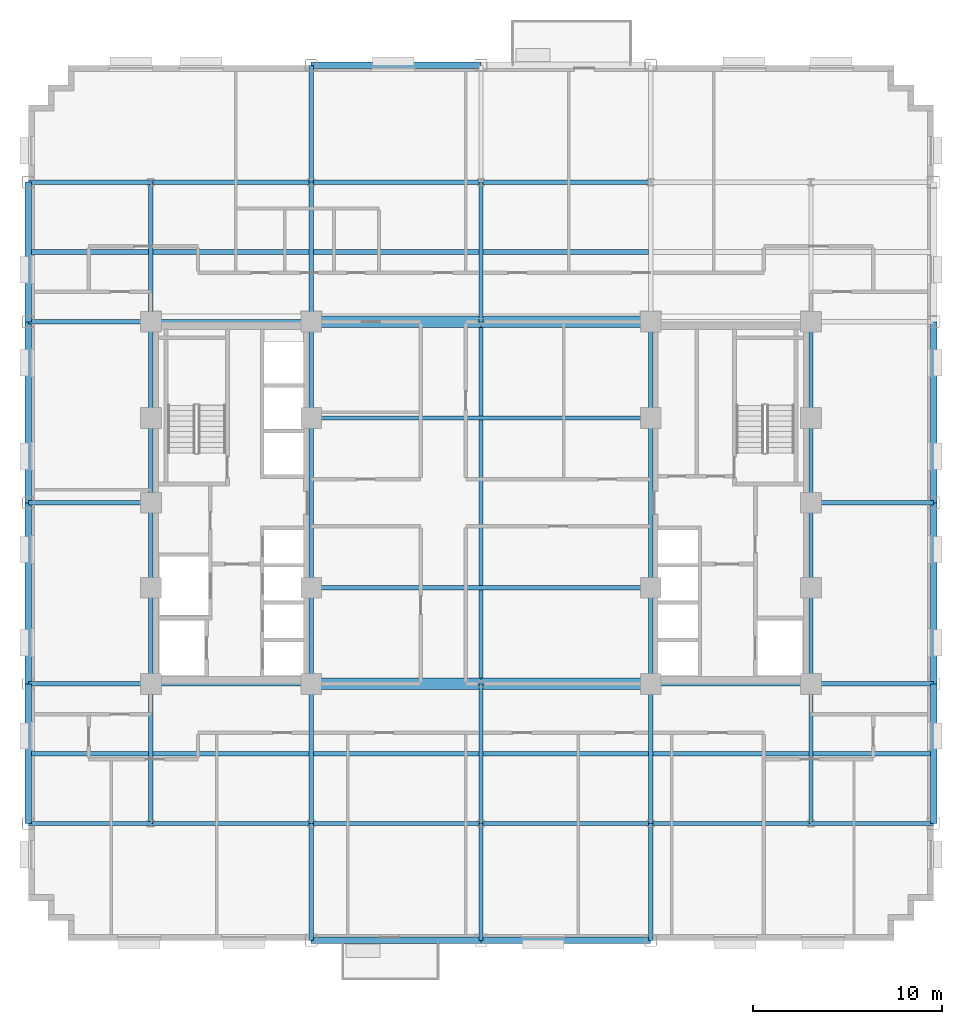
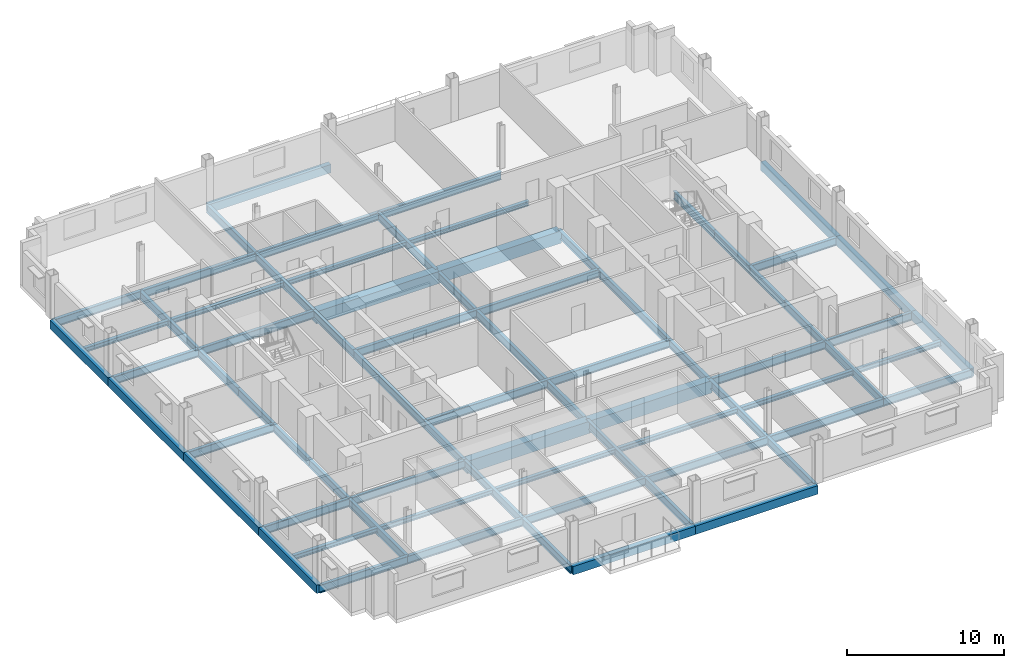
# One storey, part 4 of 14: 71 beams.
"""IFC4 building model written with IfcOpenShell, lengths in metres."""

from ifc_helpers import new_model, si_unit, direction, frame, origin, origin_2d, place, context, subcontext, project, spatial, rectangle, i_section, extrude, material, material_profile, profile_set, type_object, element, save


model = new_model("IFC4")

# Units and contexts
model_context = context("Model", 3, precision=1e-05, world=origin(), true_north=direction((0.0, 1.0)))
body_context = subcontext(model_context, "Body", "Model", "MODEL_VIEW")
ifc_project = project(units=[si_unit("LENGTHUNIT", "METRE"), si_unit("AREAUNIT", "SQUARE_METRE"), si_unit("VOLUMEUNIT", "CUBIC_METRE"), si_unit("PLANEANGLEUNIT", "RADIAN"), si_unit("MASSUNIT", "GRAM", prefix="KILO")], contexts=[model_context])

# Site, building, storey
site_placement = place(None, origin())
site = spatial("IfcSite", under=ifc_project, at=site_placement, CompositionType="ELEMENT")
building_placement = place(site_placement, origin())
building = spatial("IfcBuilding", under=site, at=building_placement, Name="Nuvemarco Arch Tower", CompositionType="ELEMENT")
storey_placement = place(building_placement, frame((0.0, 0.0, 98.300048828125)))
storey = spatial("IfcBuildingStorey", under=building, at=storey_placement, Name="L25", CompositionType="ELEMENT", Elevation=98.300048828125)

# Beams
ifc_material_1 = material(Name="Concrete C60/75", Category="concrete")
ifc_material_profile_1 = material_profile(ifc_material_1, rectangle(XDim=0.60009765625, YDim=0.949951171875, at=origin_2d()), Name="RC-BM-600x950")
ifc_profile_set_1 = profile_set([ifc_material_profile_1], Name="Concrete C60/75")
beam_type_1 = type_object("IfcBeamType", Name="BM-COUP-RC", PredefinedType="LINTEL", material=ifc_profile_set_1)
for number, where, z_axis, x_axis, name in (
    (1, (-9.0, -9.60009765625, -0.755126953125), (1.0, 0.0, 0.0), (0.0, 1.0, 0.0), "L25 structural beam BGEW_L25_0_-9.6_-9.0"),
    (2, (0.0, -9.60009765625, -0.755126953125), (1.0, 0.0, 0.0), (0.0, 1.0, 0.0), "L25 structural beam BGEW_L25_0_-9.6_+0.0"),
    (3, (-9.0, 9.60009765625, -0.755126953125), (1.0, 0.0, 0.0), (0.0, 1.0, 0.0), "L25 structural beam BGEW_L25_0_+9.6_-9.0"),
    (4, (0.0, 9.60009765625, -0.755126953125), (1.0, 0.0, 0.0), (0.0, 1.0, 0.0), "L25 structural beam BGEW_L25_0_+9.6_+0.0"),
):
    element("IfcBeam", number, at=place(storey_placement, frame(where, z_axis=z_axis, x_axis=x_axis)), inside=storey, type_object=beam_type_1, Name=name, PredefinedType="LINTEL", context=body_context, shape_type="SweptSolid", body=[
        extrude(rectangle(XDim=0.60009765625, YDim=0.949951171875, at=origin_2d()), origin(), (0.0, 0.0, 1.0), 9.0),
    ])
ifc_material_2 = material(Name="Steel S355", Category="steel")
ifc_material_profile_2 = material_profile(ifc_material_2, i_section(OverallWidth=0.22998046875, OverallDepth=0.616943359375, WebThickness=0.01318359375, FlangeThickness=0.022216796875, FilletRadius=0.01611328125, at=origin_2d()), Name="W610x140")
ifc_profile_set_2 = profile_set([ifc_material_profile_2], Name="Steel S355")
beam_type_2 = type_object("IfcBeamType", Name="BM-GIRD-610", PredefinedType="BEAM", material=ifc_profile_set_2)
beam_1_placement = place(storey_placement, frame((-17.5, -17.0, -0.588623046875), z_axis=(0.0, 1.0, 0.0), x_axis=(-1.0, 0.0, 0.0)))
element("IfcBeam", 5, at=beam_1_placement, inside=storey, type_object=beam_type_2, Name="L25 structural beam BGNS_L25_0_-17.5_-17.0", PredefinedType="BEAM", context=body_context, shape_type="SweptSolid", body=[
    extrude(i_section(OverallWidth=0.22998046875, OverallDepth=0.616943359375, WebThickness=0.01318359375, FlangeThickness=0.022216796875, FilletRadius=0.01611328125, at=origin_2d()), origin(), (0.0, 0.0, 1.0), 7.39990234375),
])
beam_2_placement = place(storey_placement, frame((-17.5, -9.60009765625, -0.588623046875), z_axis=(0.0, 1.0, 0.0), x_axis=(-1.0, 0.0, 0.0)))
element("IfcBeam", 6, at=beam_2_placement, inside=storey, type_object=beam_type_2, Name="L25 structural beam BGNS_L25_0_-17.5_-9.6", PredefinedType="BEAM", context=body_context, shape_type="SweptSolid", body=[
    extrude(i_section(OverallWidth=0.22998046875, OverallDepth=0.616943359375, WebThickness=0.01318359375, FlangeThickness=0.022216796875, FilletRadius=0.01611328125, at=origin_2d()), origin(), (0.0, 0.0, 1.0), 5.10009765625),
])
for number, where, z_axis, x_axis, name in (
    (7, (-17.5, -4.5, -0.588623046875), (0.0, 1.0, 0.0), (-1.0, 0.0, 0.0), "L25 structural beam BGNS_L25_0_-17.5_-4.5"),
    (8, (-17.5, 0.0, -0.588623046875), (0.0, 1.0, 0.0), (-1.0, 0.0, 0.0), "L25 structural beam BGNS_L25_0_-17.5_+0.0"),
):
    element("IfcBeam", number, at=place(storey_placement, frame(where, z_axis=z_axis, x_axis=x_axis)), inside=storey, type_object=beam_type_2, Name=name, PredefinedType="BEAM", context=body_context, shape_type="SweptSolid", body=[
        extrude(i_section(OverallWidth=0.22998046875, OverallDepth=0.616943359375, WebThickness=0.01318359375, FlangeThickness=0.022216796875, FilletRadius=0.01611328125, at=origin_2d()), origin(), (0.0, 0.0, 1.0), 4.5),
    ])
beam_3_placement = place(storey_placement, frame((-17.5, 4.5, -0.588623046875), z_axis=(0.0, 1.0, 0.0), x_axis=(-1.0, 0.0, 0.0)))
element("IfcBeam", 9, at=beam_3_placement, inside=storey, type_object=beam_type_2, Name="L25 structural beam BGNS_L25_0_-17.5_+4.5", PredefinedType="BEAM", context=body_context, shape_type="SweptSolid", body=[
    extrude(i_section(OverallWidth=0.22998046875, OverallDepth=0.616943359375, WebThickness=0.01318359375, FlangeThickness=0.022216796875, FilletRadius=0.01611328125, at=origin_2d()), origin(), (0.0, 0.0, 1.0), 5.10009765625),
])
beam_4_placement = place(storey_placement, frame((-17.5, 9.60009765625, -0.588623046875), z_axis=(0.0, 1.0, 0.0), x_axis=(-1.0, 0.0, 0.0)))
element("IfcBeam", 10, at=beam_4_placement, inside=storey, type_object=beam_type_2, Name="L25 structural beam BGNS_L25_0_-17.5_+9.6", PredefinedType="BEAM", context=body_context, shape_type="SweptSolid", body=[
    extrude(i_section(OverallWidth=0.22998046875, OverallDepth=0.616943359375, WebThickness=0.01318359375, FlangeThickness=0.022216796875, FilletRadius=0.01611328125, at=origin_2d()), origin(), (0.0, 0.0, 1.0), 7.39990234375),
])
beam_5_placement = place(storey_placement, frame((-9.0, -23.199951171875, -0.588623046875), z_axis=(0.0, 1.0, 0.0), x_axis=(-1.0, 0.0, 0.0)))
element("IfcBeam", 11, at=beam_5_placement, inside=storey, type_object=beam_type_2, Name="L25 structural beam BGNS_L25_0_-9.0_-23.2", PredefinedType="BEAM", context=body_context, shape_type="SweptSolid", body=[
    extrude(i_section(OverallWidth=0.22998046875, OverallDepth=0.616943359375, WebThickness=0.01318359375, FlangeThickness=0.022216796875, FilletRadius=0.01611328125, at=origin_2d()), origin(), (0.0, 0.0, 1.0), 6.199951171875),
])
beam_6_placement = place(storey_placement, frame((-9.0, -17.0, -0.588623046875), z_axis=(0.0, 1.0, 0.0), x_axis=(-1.0, 0.0, 0.0)))
element("IfcBeam", 12, at=beam_6_placement, inside=storey, type_object=beam_type_2, Name="L25 structural beam BGNS_L25_0_-9.0_-17.0", PredefinedType="BEAM", context=body_context, shape_type="SweptSolid", body=[
    extrude(i_section(OverallWidth=0.22998046875, OverallDepth=0.616943359375, WebThickness=0.01318359375, FlangeThickness=0.022216796875, FilletRadius=0.01611328125, at=origin_2d()), origin(), (0.0, 0.0, 1.0), 7.39990234375),
])
beam_7_placement = place(storey_placement, frame((-9.0, -9.60009765625, -0.588623046875), z_axis=(0.0, 1.0, 0.0), x_axis=(-1.0, 0.0, 0.0)))
element("IfcBeam", 13, at=beam_7_placement, inside=storey, type_object=beam_type_2, Name="L25 structural beam BGNS_L25_0_-9.0_-9.6", PredefinedType="BEAM", context=body_context, shape_type="SweptSolid", body=[
    extrude(i_section(OverallWidth=0.22998046875, OverallDepth=0.616943359375, WebThickness=0.01318359375, FlangeThickness=0.022216796875, FilletRadius=0.01611328125, at=origin_2d()), origin(), (0.0, 0.0, 1.0), 5.10009765625),
])
beam_8_placement = place(storey_placement, frame((-9.0, -4.5, -0.588623046875), z_axis=(0.0, 1.0, 0.0), x_axis=(-1.0, 0.0, 0.0)))
element("IfcBeam", 14, at=beam_8_placement, inside=storey, type_object=beam_type_2, Name="L25 structural beam BGNS_L25_0_-9.0_-4.5", PredefinedType="BEAM", context=body_context, shape_type="SweptSolid", body=[
    extrude(i_section(OverallWidth=0.22998046875, OverallDepth=0.616943359375, WebThickness=0.01318359375, FlangeThickness=0.022216796875, FilletRadius=0.01611328125, at=origin_2d()), origin(), (0.0, 0.0, 1.0), 9.0),
])
beam_9_placement = place(storey_placement, frame((-9.0, 4.5, -0.588623046875), z_axis=(0.0, 1.0, 0.0), x_axis=(-1.0, 0.0, 0.0)))
element("IfcBeam", 15, at=beam_9_placement, inside=storey, type_object=beam_type_2, Name="L25 structural beam BGNS_L25_0_-9.0_+4.5", PredefinedType="BEAM", context=body_context, shape_type="SweptSolid", body=[
    extrude(i_section(OverallWidth=0.22998046875, OverallDepth=0.616943359375, WebThickness=0.01318359375, FlangeThickness=0.022216796875, FilletRadius=0.01611328125, at=origin_2d()), origin(), (0.0, 0.0, 1.0), 5.10009765625),
])
beam_10_placement = place(storey_placement, frame((-9.0, 9.60009765625, -0.588623046875), z_axis=(0.0, 1.0, 0.0), x_axis=(-1.0, 0.0, 0.0)))
element("IfcBeam", 16, at=beam_10_placement, inside=storey, type_object=beam_type_2, Name="L25 structural beam BGNS_L25_0_-9.0_+9.6", PredefinedType="BEAM", context=body_context, shape_type="SweptSolid", body=[
    extrude(i_section(OverallWidth=0.22998046875, OverallDepth=0.616943359375, WebThickness=0.01318359375, FlangeThickness=0.022216796875, FilletRadius=0.01611328125, at=origin_2d()), origin(), (0.0, 0.0, 1.0), 7.39990234375),
])
for number, where, z_axis, x_axis, name in (
    (17, (-9.0, 17.0, -0.588623046875), (0.0, 1.0, 0.0), (-1.0, 0.0, 0.0), "L25 structural beam BGNS_L25_0_-9.0_+17.0"),
    (18, (0.0, -23.199951171875, -0.588623046875), (0.0, 1.0, 0.0), (-1.0, 0.0, 0.0), "L25 structural beam BGNS_L25_0_+0.0_-23.2"),
):
    element("IfcBeam", number, at=place(storey_placement, frame(where, z_axis=z_axis, x_axis=x_axis)), inside=storey, type_object=beam_type_2, Name=name, PredefinedType="BEAM", context=body_context, shape_type="SweptSolid", body=[
        extrude(i_section(OverallWidth=0.22998046875, OverallDepth=0.616943359375, WebThickness=0.01318359375, FlangeThickness=0.022216796875, FilletRadius=0.01611328125, at=origin_2d()), origin(), (0.0, 0.0, 1.0), 6.199951171875),
    ])
beam_11_placement = place(storey_placement, frame((0.0, -17.0, -0.588623046875), z_axis=(0.0, 1.0, 0.0), x_axis=(-1.0, 0.0, 0.0)))
element("IfcBeam", 19, at=beam_11_placement, inside=storey, type_object=beam_type_2, Name="L25 structural beam BGNS_L25_0_+0.0_-17.0", PredefinedType="BEAM", context=body_context, shape_type="SweptSolid", body=[
    extrude(i_section(OverallWidth=0.22998046875, OverallDepth=0.616943359375, WebThickness=0.01318359375, FlangeThickness=0.022216796875, FilletRadius=0.01611328125, at=origin_2d()), origin(), (0.0, 0.0, 1.0), 7.39990234375),
])
beam_12_placement = place(storey_placement, frame((0.0, -9.60009765625, -0.588623046875), z_axis=(0.0, 1.0, 0.0), x_axis=(-1.0, 0.0, 0.0)))
element("IfcBeam", 20, at=beam_12_placement, inside=storey, type_object=beam_type_2, Name="L25 structural beam BGNS_L25_0_+0.0_-9.6", PredefinedType="BEAM", context=body_context, shape_type="SweptSolid", body=[
    extrude(i_section(OverallWidth=0.22998046875, OverallDepth=0.616943359375, WebThickness=0.01318359375, FlangeThickness=0.022216796875, FilletRadius=0.01611328125, at=origin_2d()), origin(), (0.0, 0.0, 1.0), 19.2001953125),
])
beam_13_placement = place(storey_placement, frame((0.0, 9.60009765625, -0.588623046875), z_axis=(0.0, 1.0, 0.0), x_axis=(-1.0, 0.0, 0.0)))
element("IfcBeam", 21, at=beam_13_placement, inside=storey, type_object=beam_type_2, Name="L25 structural beam BGNS_L25_0_+0.0_+9.6", PredefinedType="BEAM", context=body_context, shape_type="SweptSolid", body=[
    extrude(i_section(OverallWidth=0.22998046875, OverallDepth=0.616943359375, WebThickness=0.01318359375, FlangeThickness=0.022216796875, FilletRadius=0.01611328125, at=origin_2d()), origin(), (0.0, 0.0, 1.0), 7.39990234375),
])
beam_14_placement = place(storey_placement, frame((9.0, -23.199951171875, -0.588623046875), z_axis=(0.0, 1.0, 0.0), x_axis=(-1.0, 0.0, 0.0)))
element("IfcBeam", 22, at=beam_14_placement, inside=storey, type_object=beam_type_2, Name="L25 structural beam BGNS_L25_0_+9.0_-23.2", PredefinedType="BEAM", context=body_context, shape_type="SweptSolid", body=[
    extrude(i_section(OverallWidth=0.22998046875, OverallDepth=0.616943359375, WebThickness=0.01318359375, FlangeThickness=0.022216796875, FilletRadius=0.01611328125, at=origin_2d()), origin(), (0.0, 0.0, 1.0), 6.199951171875),
])
beam_15_placement = place(storey_placement, frame((9.0, -17.0, -0.588623046875), z_axis=(0.0, 1.0, 0.0), x_axis=(-1.0, 0.0, 0.0)))
element("IfcBeam", 23, at=beam_15_placement, inside=storey, type_object=beam_type_2, Name="L25 structural beam BGNS_L25_0_+9.0_-17.0", PredefinedType="BEAM", context=body_context, shape_type="SweptSolid", body=[
    extrude(i_section(OverallWidth=0.22998046875, OverallDepth=0.616943359375, WebThickness=0.01318359375, FlangeThickness=0.022216796875, FilletRadius=0.01611328125, at=origin_2d()), origin(), (0.0, 0.0, 1.0), 7.39990234375),
])
beam_16_placement = place(storey_placement, frame((9.0, -9.60009765625, -0.588623046875), z_axis=(0.0, 1.0, 0.0), x_axis=(-1.0, 0.0, 0.0)))
element("IfcBeam", 24, at=beam_16_placement, inside=storey, type_object=beam_type_2, Name="L25 structural beam BGNS_L25_0_+9.0_-9.6", PredefinedType="BEAM", context=body_context, shape_type="SweptSolid", body=[
    extrude(i_section(OverallWidth=0.22998046875, OverallDepth=0.616943359375, WebThickness=0.01318359375, FlangeThickness=0.022216796875, FilletRadius=0.01611328125, at=origin_2d()), origin(), (0.0, 0.0, 1.0), 5.10009765625),
])
beam_17_placement = place(storey_placement, frame((9.0, -4.5, -0.588623046875), z_axis=(0.0, 1.0, 0.0), x_axis=(-1.0, 0.0, 0.0)))
element("IfcBeam", 25, at=beam_17_placement, inside=storey, type_object=beam_type_2, Name="L25 structural beam BGNS_L25_0_+9.0_-4.5", PredefinedType="BEAM", context=body_context, shape_type="SweptSolid", body=[
    extrude(i_section(OverallWidth=0.22998046875, OverallDepth=0.616943359375, WebThickness=0.01318359375, FlangeThickness=0.022216796875, FilletRadius=0.01611328125, at=origin_2d()), origin(), (0.0, 0.0, 1.0), 9.0),
])
beam_18_placement = place(storey_placement, frame((9.0, 4.5, -0.588623046875), z_axis=(0.0, 1.0, 0.0), x_axis=(-1.0, 0.0, 0.0)))
element("IfcBeam", 26, at=beam_18_placement, inside=storey, type_object=beam_type_2, Name="L25 structural beam BGNS_L25_0_+9.0_+4.5", PredefinedType="BEAM", context=body_context, shape_type="SweptSolid", body=[
    extrude(i_section(OverallWidth=0.22998046875, OverallDepth=0.616943359375, WebThickness=0.01318359375, FlangeThickness=0.022216796875, FilletRadius=0.01611328125, at=origin_2d()), origin(), (0.0, 0.0, 1.0), 5.10009765625),
])
beam_19_placement = place(storey_placement, frame((17.5, -17.0, -0.588623046875), z_axis=(0.0, 1.0, 0.0), x_axis=(-1.0, 0.0, 0.0)))
element("IfcBeam", 27, at=beam_19_placement, inside=storey, type_object=beam_type_2, Name="L25 structural beam BGNS_L25_0_+17.5_-17.0", PredefinedType="BEAM", context=body_context, shape_type="SweptSolid", body=[
    extrude(i_section(OverallWidth=0.22998046875, OverallDepth=0.616943359375, WebThickness=0.01318359375, FlangeThickness=0.022216796875, FilletRadius=0.01611328125, at=origin_2d()), origin(), (0.0, 0.0, 1.0), 7.39990234375),
])
beam_20_placement = place(storey_placement, frame((17.5, -9.60009765625, -0.588623046875), z_axis=(0.0, 1.0, 0.0), x_axis=(-1.0, 0.0, 0.0)))
element("IfcBeam", 28, at=beam_20_placement, inside=storey, type_object=beam_type_2, Name="L25 structural beam BGNS_L25_0_+17.5_-9.6", PredefinedType="BEAM", context=body_context, shape_type="SweptSolid", body=[
    extrude(i_section(OverallWidth=0.22998046875, OverallDepth=0.616943359375, WebThickness=0.01318359375, FlangeThickness=0.022216796875, FilletRadius=0.01611328125, at=origin_2d()), origin(), (0.0, 0.0, 1.0), 5.10009765625),
])
for number, where, z_axis, x_axis, name in (
    (29, (17.5, -4.5, -0.588623046875), (0.0, 1.0, 0.0), (-1.0, 0.0, 0.0), "L25 structural beam BGNS_L25_0_+17.5_-4.5"),
    (30, (17.5, 0.0, -0.588623046875), (0.0, 1.0, 0.0), (-1.0, 0.0, 0.0), "L25 structural beam BGNS_L25_0_+17.5_+0.0"),
):
    element("IfcBeam", number, at=place(storey_placement, frame(where, z_axis=z_axis, x_axis=x_axis)), inside=storey, type_object=beam_type_2, Name=name, PredefinedType="BEAM", context=body_context, shape_type="SweptSolid", body=[
        extrude(i_section(OverallWidth=0.22998046875, OverallDepth=0.616943359375, WebThickness=0.01318359375, FlangeThickness=0.022216796875, FilletRadius=0.01611328125, at=origin_2d()), origin(), (0.0, 0.0, 1.0), 4.5),
    ])
beam_21_placement = place(storey_placement, frame((17.5, 4.5, -0.588623046875), z_axis=(0.0, 1.0, 0.0), x_axis=(-1.0, 0.0, 0.0)))
element("IfcBeam", 31, at=beam_21_placement, inside=storey, type_object=beam_type_2, Name="L25 structural beam BGNS_L25_0_+17.5_+4.5", PredefinedType="BEAM", context=body_context, shape_type="SweptSolid", body=[
    extrude(i_section(OverallWidth=0.22998046875, OverallDepth=0.616943359375, WebThickness=0.01318359375, FlangeThickness=0.022216796875, FilletRadius=0.01611328125, at=origin_2d()), origin(), (0.0, 0.0, 1.0), 5.10009765625),
])
beam_22_placement = place(storey_placement, frame((-24.0, -17.0, -0.588623046875), z_axis=(1.0, 0.0, 0.0), x_axis=(0.0, 1.0, 0.0)))
element("IfcBeam", 32, at=beam_22_placement, inside=storey, type_object=beam_type_2, Name="L25 structural beam BGEW_L25_0_-17.0_-24.0", PredefinedType="BEAM", context=body_context, shape_type="SweptSolid", body=[
    extrude(i_section(OverallWidth=0.22998046875, OverallDepth=0.616943359375, WebThickness=0.01318359375, FlangeThickness=0.022216796875, FilletRadius=0.01611328125, at=origin_2d()), origin(), (0.0, 0.0, 1.0), 6.5),
])
beam_23_placement = place(storey_placement, frame((-17.5, -17.0, -0.588623046875), z_axis=(1.0, 0.0, 0.0), x_axis=(0.0, 1.0, 0.0)))
element("IfcBeam", 33, at=beam_23_placement, inside=storey, type_object=beam_type_2, Name="L25 structural beam BGEW_L25_0_-17.0_-17.5", PredefinedType="BEAM", context=body_context, shape_type="SweptSolid", body=[
    extrude(i_section(OverallWidth=0.22998046875, OverallDepth=0.616943359375, WebThickness=0.01318359375, FlangeThickness=0.022216796875, FilletRadius=0.01611328125, at=origin_2d()), origin(), (0.0, 0.0, 1.0), 8.5),
])
for number, where, z_axis, x_axis, name in (
    (34, (-9.0, -17.0, -0.588623046875), (1.0, 0.0, 0.0), (0.0, 1.0, 0.0), "L25 structural beam BGEW_L25_0_-17.0_-9.0"),
    (35, (0.0, -17.0, -0.588623046875), (1.0, 0.0, 0.0), (0.0, 1.0, 0.0), "L25 structural beam BGEW_L25_0_-17.0_+0.0"),
):
    element("IfcBeam", number, at=place(storey_placement, frame(where, z_axis=z_axis, x_axis=x_axis)), inside=storey, type_object=beam_type_2, Name=name, PredefinedType="BEAM", context=body_context, shape_type="SweptSolid", body=[
        extrude(i_section(OverallWidth=0.22998046875, OverallDepth=0.616943359375, WebThickness=0.01318359375, FlangeThickness=0.022216796875, FilletRadius=0.01611328125, at=origin_2d()), origin(), (0.0, 0.0, 1.0), 9.0),
    ])
beam_24_placement = place(storey_placement, frame((9.0, -17.0, -0.588623046875), z_axis=(1.0, 0.0, 0.0), x_axis=(0.0, 1.0, 0.0)))
element("IfcBeam", 36, at=beam_24_placement, inside=storey, type_object=beam_type_2, Name="L25 structural beam BGEW_L25_0_-17.0_+9.0", PredefinedType="BEAM", context=body_context, shape_type="SweptSolid", body=[
    extrude(i_section(OverallWidth=0.22998046875, OverallDepth=0.616943359375, WebThickness=0.01318359375, FlangeThickness=0.022216796875, FilletRadius=0.01611328125, at=origin_2d()), origin(), (0.0, 0.0, 1.0), 8.5),
])
for number, where, z_axis, x_axis, name in (
    (37, (17.5, -17.0, -0.588623046875), (1.0, 0.0, 0.0), (0.0, 1.0, 0.0), "L25 structural beam BGEW_L25_0_-17.0_+17.5"),
    (38, (-24.0, -9.60009765625, -0.588623046875), (1.0, 0.0, 0.0), (0.0, 1.0, 0.0), "L25 structural beam BGEW_L25_0_-9.6_-24.0"),
):
    element("IfcBeam", number, at=place(storey_placement, frame(where, z_axis=z_axis, x_axis=x_axis)), inside=storey, type_object=beam_type_2, Name=name, PredefinedType="BEAM", context=body_context, shape_type="SweptSolid", body=[
        extrude(i_section(OverallWidth=0.22998046875, OverallDepth=0.616943359375, WebThickness=0.01318359375, FlangeThickness=0.022216796875, FilletRadius=0.01611328125, at=origin_2d()), origin(), (0.0, 0.0, 1.0), 6.5),
    ])
for number, where, z_axis, x_axis, name in (
    (39, (-17.5, -9.60009765625, -0.588623046875), (1.0, 0.0, 0.0), (0.0, 1.0, 0.0), "L25 structural beam BGEW_L25_0_-9.6_-17.5"),
    (40, (9.0, -9.60009765625, -0.588623046875), (1.0, 0.0, 0.0), (0.0, 1.0, 0.0), "L25 structural beam BGEW_L25_0_-9.6_+9.0"),
):
    element("IfcBeam", number, at=place(storey_placement, frame(where, z_axis=z_axis, x_axis=x_axis)), inside=storey, type_object=beam_type_2, Name=name, PredefinedType="BEAM", context=body_context, shape_type="SweptSolid", body=[
        extrude(i_section(OverallWidth=0.22998046875, OverallDepth=0.616943359375, WebThickness=0.01318359375, FlangeThickness=0.022216796875, FilletRadius=0.01611328125, at=origin_2d()), origin(), (0.0, 0.0, 1.0), 8.5),
    ])
beam_25_placement = place(storey_placement, frame((17.5, -9.60009765625, -0.588623046875), z_axis=(1.0, 0.0, 0.0), x_axis=(0.0, 1.0, 0.0)))
element("IfcBeam", 41, at=beam_25_placement, inside=storey, type_object=beam_type_2, Name="L25 structural beam BGEW_L25_0_-9.6_+17.5", PredefinedType="BEAM", context=body_context, shape_type="SweptSolid", body=[
    extrude(i_section(OverallWidth=0.22998046875, OverallDepth=0.616943359375, WebThickness=0.01318359375, FlangeThickness=0.022216796875, FilletRadius=0.01611328125, at=origin_2d()), origin(), (0.0, 0.0, 1.0), 6.5),
])
beam_26_placement = place(storey_placement, frame((-9.0, -4.5, -0.588623046875), z_axis=(1.0, 0.0, 0.0), x_axis=(0.0, 1.0, 0.0)))
element("IfcBeam", 42, at=beam_26_placement, inside=storey, type_object=beam_type_2, Name="L25 structural beam BGEW_L25_0_-4.5_-9.0", PredefinedType="BEAM", context=body_context, shape_type="SweptSolid", body=[
    extrude(i_section(OverallWidth=0.22998046875, OverallDepth=0.616943359375, WebThickness=0.01318359375, FlangeThickness=0.022216796875, FilletRadius=0.01611328125, at=origin_2d()), origin(), (0.0, 0.0, 1.0), 18.0),
])
for number, where, z_axis, x_axis, name in (
    (43, (-24.0, 0.0, -0.588623046875), (1.0, 0.0, 0.0), (0.0, 1.0, 0.0), "L25 structural beam BGEW_L25_0_+0.0_-24.0"),
    (44, (17.5, 0.0, -0.588623046875), (1.0, 0.0, 0.0), (0.0, 1.0, 0.0), "L25 structural beam BGEW_L25_0_+0.0_+17.5"),
):
    element("IfcBeam", number, at=place(storey_placement, frame(where, z_axis=z_axis, x_axis=x_axis)), inside=storey, type_object=beam_type_2, Name=name, PredefinedType="BEAM", context=body_context, shape_type="SweptSolid", body=[
        extrude(i_section(OverallWidth=0.22998046875, OverallDepth=0.616943359375, WebThickness=0.01318359375, FlangeThickness=0.022216796875, FilletRadius=0.01611328125, at=origin_2d()), origin(), (0.0, 0.0, 1.0), 6.5),
    ])
beam_27_placement = place(storey_placement, frame((-9.0, 4.5, -0.588623046875), z_axis=(1.0, 0.0, 0.0), x_axis=(0.0, 1.0, 0.0)))
element("IfcBeam", 45, at=beam_27_placement, inside=storey, type_object=beam_type_2, Name="L25 structural beam BGEW_L25_0_+4.5_-9.0", PredefinedType="BEAM", context=body_context, shape_type="SweptSolid", body=[
    extrude(i_section(OverallWidth=0.22998046875, OverallDepth=0.616943359375, WebThickness=0.01318359375, FlangeThickness=0.022216796875, FilletRadius=0.01611328125, at=origin_2d()), origin(), (0.0, 0.0, 1.0), 18.0),
])
beam_28_placement = place(storey_placement, frame((-24.0, 9.60009765625, -0.588623046875), z_axis=(1.0, 0.0, 0.0), x_axis=(0.0, 1.0, 0.0)))
element("IfcBeam", 46, at=beam_28_placement, inside=storey, type_object=beam_type_2, Name="L25 structural beam BGEW_L25_0_+9.6_-24.0", PredefinedType="BEAM", context=body_context, shape_type="SweptSolid", body=[
    extrude(i_section(OverallWidth=0.22998046875, OverallDepth=0.616943359375, WebThickness=0.01318359375, FlangeThickness=0.022216796875, FilletRadius=0.01611328125, at=origin_2d()), origin(), (0.0, 0.0, 1.0), 6.5),
])
beam_29_placement = place(storey_placement, frame((-17.5, 9.60009765625, -0.588623046875), z_axis=(1.0, 0.0, 0.0), x_axis=(0.0, 1.0, 0.0)))
element("IfcBeam", 47, at=beam_29_placement, inside=storey, type_object=beam_type_2, Name="L25 structural beam BGEW_L25_0_+9.6_-17.5", PredefinedType="BEAM", context=body_context, shape_type="SweptSolid", body=[
    extrude(i_section(OverallWidth=0.22998046875, OverallDepth=0.616943359375, WebThickness=0.01318359375, FlangeThickness=0.022216796875, FilletRadius=0.01611328125, at=origin_2d()), origin(), (0.0, 0.0, 1.0), 8.5),
])
beam_30_placement = place(storey_placement, frame((-24.0, 17.0, -0.588623046875), z_axis=(1.0, 0.0, 0.0), x_axis=(0.0, 1.0, 0.0)))
element("IfcBeam", 48, at=beam_30_placement, inside=storey, type_object=beam_type_2, Name="L25 structural beam BGEW_L25_0_+17.0_-24.0", PredefinedType="BEAM", context=body_context, shape_type="SweptSolid", body=[
    extrude(i_section(OverallWidth=0.22998046875, OverallDepth=0.616943359375, WebThickness=0.01318359375, FlangeThickness=0.022216796875, FilletRadius=0.01611328125, at=origin_2d()), origin(), (0.0, 0.0, 1.0), 6.5),
])
beam_31_placement = place(storey_placement, frame((-17.5, 17.0, -0.588623046875), z_axis=(1.0, 0.0, 0.0), x_axis=(0.0, 1.0, 0.0)))
element("IfcBeam", 49, at=beam_31_placement, inside=storey, type_object=beam_type_2, Name="L25 structural beam BGEW_L25_0_+17.0_-17.5", PredefinedType="BEAM", context=body_context, shape_type="SweptSolid", body=[
    extrude(i_section(OverallWidth=0.22998046875, OverallDepth=0.616943359375, WebThickness=0.01318359375, FlangeThickness=0.022216796875, FilletRadius=0.01611328125, at=origin_2d()), origin(), (0.0, 0.0, 1.0), 8.5),
])
for number, where, z_axis, x_axis, name in (
    (50, (-9.0, 17.0, -0.588623046875), (1.0, 0.0, 0.0), (0.0, 1.0, 0.0), "L25 structural beam BGEW_L25_0_+17.0_-9.0"),
    (51, (0.0, 17.0, -0.588623046875), (1.0, 0.0, 0.0), (0.0, 1.0, 0.0), "L25 structural beam BGEW_L25_0_+17.0_+0.0"),
):
    element("IfcBeam", number, at=place(storey_placement, frame(where, z_axis=z_axis, x_axis=x_axis)), inside=storey, type_object=beam_type_2, Name=name, PredefinedType="BEAM", context=body_context, shape_type="SweptSolid", body=[
        extrude(i_section(OverallWidth=0.22998046875, OverallDepth=0.616943359375, WebThickness=0.01318359375, FlangeThickness=0.022216796875, FilletRadius=0.01611328125, at=origin_2d()), origin(), (0.0, 0.0, 1.0), 9.0),
    ])
ifc_material_profile_3 = material_profile(ifc_material_2, i_section(OverallWidth=0.2548828125, OverallDepth=0.35693359375, WebThickness=0.010498046875, FlangeThickness=0.018310546875, FilletRadius=0.014892578125, at=origin_2d()), Name="W360x101")
ifc_profile_set_3 = profile_set([ifc_material_profile_3], Name="Steel S355")
beam_type_3 = type_object("IfcBeamType", Name="BM-JOIST-360H", PredefinedType="JOIST", material=ifc_profile_set_3)
beam_32_placement = place(storey_placement, frame((-23.824951171875, -13.300048828125, -0.45849609375), z_axis=(1.0, 0.0, 0.0), x_axis=(0.0, 1.0, 0.0)))
element("IfcBeam", 52, at=beam_32_placement, inside=storey, type_object=beam_type_3, Name="L25 structural beam BJ_L25_0_-13.3_-24.0", PredefinedType="JOIST", context=body_context, shape_type="SweptSolid", body=[
    extrude(i_section(OverallWidth=0.2548828125, OverallDepth=0.35693359375, WebThickness=0.010498046875, FlangeThickness=0.018310546875, FilletRadius=0.014892578125, at=origin_2d()), origin(), (0.0, 0.0, 1.0), 6.2099609375),
])
beam_33_placement = place(storey_placement, frame((-17.385009765625, -13.300048828125, -0.45849609375), z_axis=(1.0, 0.0, 0.0), x_axis=(0.0, 1.0, 0.0)))
element("IfcBeam", 53, at=beam_33_placement, inside=storey, type_object=beam_type_3, Name="L25 structural beam BJ_L25_0_-13.3_-17.5", PredefinedType="JOIST", context=body_context, shape_type="SweptSolid", body=[
    extrude(i_section(OverallWidth=0.2548828125, OverallDepth=0.35693359375, WebThickness=0.010498046875, FlangeThickness=0.018310546875, FilletRadius=0.014892578125, at=origin_2d()), origin(), (0.0, 0.0, 1.0), 8.27001953125),
])
for number, where, z_axis, x_axis, name in (
    (54, (-8.885009765625, -13.300048828125, -0.45849609375), (1.0, 0.0, 0.0), (0.0, 1.0, 0.0), "L25 structural beam BJ_L25_0_-13.3_-9.0"),
    (55, (0.114990234375, -13.300048828125, -0.45849609375), (1.0, 0.0, 0.0), (0.0, 1.0, 0.0), "L25 structural beam BJ_L25_0_-13.3_+0.0"),
):
    element("IfcBeam", number, at=place(storey_placement, frame(where, z_axis=z_axis, x_axis=x_axis)), inside=storey, type_object=beam_type_3, Name=name, PredefinedType="JOIST", context=body_context, shape_type="SweptSolid", body=[
        extrude(i_section(OverallWidth=0.2548828125, OverallDepth=0.35693359375, WebThickness=0.010498046875, FlangeThickness=0.018310546875, FilletRadius=0.014892578125, at=origin_2d()), origin(), (0.0, 0.0, 1.0), 8.77001953125),
    ])
beam_34_placement = place(storey_placement, frame((9.114990234375, -13.300048828125, -0.45849609375), z_axis=(1.0, 0.0, 0.0), x_axis=(0.0, 1.0, 0.0)))
element("IfcBeam", 56, at=beam_34_placement, inside=storey, type_object=beam_type_3, Name="L25 structural beam BJ_L25_0_-13.3_+9.0", PredefinedType="JOIST", context=body_context, shape_type="SweptSolid", body=[
    extrude(i_section(OverallWidth=0.2548828125, OverallDepth=0.35693359375, WebThickness=0.010498046875, FlangeThickness=0.018310546875, FilletRadius=0.014892578125, at=origin_2d()), origin(), (0.0, 0.0, 1.0), 8.27001953125),
])
for number, where, z_axis, x_axis, name in (
    (57, (17.614990234375, -13.300048828125, -0.45849609375), (1.0, 0.0, 0.0), (0.0, 1.0, 0.0), "L25 structural beam BJ_L25_0_-13.3_+17.5"),
    (58, (-23.824951171875, 13.300048828125, -0.45849609375), (1.0, 0.0, 0.0), (0.0, 1.0, 0.0), "L25 structural beam BJ_L25_0_+13.3_-24.0"),
):
    element("IfcBeam", number, at=place(storey_placement, frame(where, z_axis=z_axis, x_axis=x_axis)), inside=storey, type_object=beam_type_3, Name=name, PredefinedType="JOIST", context=body_context, shape_type="SweptSolid", body=[
        extrude(i_section(OverallWidth=0.2548828125, OverallDepth=0.35693359375, WebThickness=0.010498046875, FlangeThickness=0.018310546875, FilletRadius=0.014892578125, at=origin_2d()), origin(), (0.0, 0.0, 1.0), 6.2099609375),
    ])
beam_35_placement = place(storey_placement, frame((-17.385009765625, 13.300048828125, -0.45849609375), z_axis=(1.0, 0.0, 0.0), x_axis=(0.0, 1.0, 0.0)))
element("IfcBeam", 59, at=beam_35_placement, inside=storey, type_object=beam_type_3, Name="L25 structural beam BJ_L25_0_+13.3_-17.5", PredefinedType="JOIST", context=body_context, shape_type="SweptSolid", body=[
    extrude(i_section(OverallWidth=0.2548828125, OverallDepth=0.35693359375, WebThickness=0.010498046875, FlangeThickness=0.018310546875, FilletRadius=0.014892578125, at=origin_2d()), origin(), (0.0, 0.0, 1.0), 8.27001953125),
])
for number, where, z_axis, x_axis, name in (
    (60, (-8.885009765625, 13.300048828125, -0.45849609375), (1.0, 0.0, 0.0), (0.0, 1.0, 0.0), "L25 structural beam BJ_L25_0_+13.3_-9.0"),
    (61, (0.114990234375, 13.300048828125, -0.45849609375), (1.0, 0.0, 0.0), (0.0, 1.0, 0.0), "L25 structural beam BJ_L25_0_+13.3_+0.0"),
):
    element("IfcBeam", number, at=place(storey_placement, frame(where, z_axis=z_axis, x_axis=x_axis)), inside=storey, type_object=beam_type_3, Name=name, PredefinedType="JOIST", context=body_context, shape_type="SweptSolid", body=[
        extrude(i_section(OverallWidth=0.2548828125, OverallDepth=0.35693359375, WebThickness=0.010498046875, FlangeThickness=0.018310546875, FilletRadius=0.014892578125, at=origin_2d()), origin(), (0.0, 0.0, 1.0), 8.77001953125),
    ])
ifc_material_3 = material(Name="Precast concrete C45/55", Category="concrete")
ifc_material_profile_4 = material_profile(ifc_material_3, rectangle(XDim=0.35009765625, YDim=0.64990234375, at=origin_2d()), Name="PC-SP-350x650")
ifc_profile_set_4 = profile_set([ifc_material_profile_4], Name="Precast concrete C45/55")
beam_type_4 = type_object("IfcBeamType", Name="BM-SPAN-RC", PredefinedType="SPANDREL", material=ifc_profile_set_4)
beam_36_placement = place(storey_placement, frame((-24.0, -17.0, -0.60498046875), z_axis=(0.0, 1.0, 0.0), x_axis=(-1.0, 0.0, 0.0)))
element("IfcBeam", 62, at=beam_36_placement, inside=storey, type_object=beam_type_4, Name="L25 structural beam BGNS_L25_0_-24.0_-17.0", PredefinedType="SPANDREL", context=body_context, shape_type="SweptSolid", body=[
    extrude(rectangle(XDim=0.35009765625, YDim=0.64990234375, at=origin_2d()), origin(), (0.0, 0.0, 1.0), 7.39990234375),
])
for number, where, z_axis, x_axis, name in (
    (63, (-24.0, -9.60009765625, -0.60498046875), (0.0, 1.0, 0.0), (-1.0, 0.0, 0.0), "L25 structural beam BGNS_L25_0_-24.0_-9.6"),
    (64, (-24.0, 0.0, -0.60498046875), (0.0, 1.0, 0.0), (-1.0, 0.0, 0.0), "L25 structural beam BGNS_L25_0_-24.0_+0.0"),
):
    element("IfcBeam", number, at=place(storey_placement, frame(where, z_axis=z_axis, x_axis=x_axis)), inside=storey, type_object=beam_type_4, Name=name, PredefinedType="SPANDREL", context=body_context, shape_type="SweptSolid", body=[
        extrude(rectangle(XDim=0.35009765625, YDim=0.64990234375, at=origin_2d()), origin(), (0.0, 0.0, 1.0), 9.60009765625),
    ])
for number, where, z_axis, x_axis, name in (
    (65, (-24.0, 9.60009765625, -0.60498046875), (0.0, 1.0, 0.0), (-1.0, 0.0, 0.0), "L25 structural beam BGNS_L25_0_-24.0_+9.6"),
    (66, (24.0, -17.0, -0.60498046875), (0.0, 1.0, 0.0), (-1.0, 0.0, 0.0), "L25 structural beam BGNS_L25_0_+24.0_-17.0"),
):
    element("IfcBeam", number, at=place(storey_placement, frame(where, z_axis=z_axis, x_axis=x_axis)), inside=storey, type_object=beam_type_4, Name=name, PredefinedType="SPANDREL", context=body_context, shape_type="SweptSolid", body=[
        extrude(rectangle(XDim=0.35009765625, YDim=0.64990234375, at=origin_2d()), origin(), (0.0, 0.0, 1.0), 7.39990234375),
    ])
for number, where, z_axis, x_axis, name in (
    (67, (24.0, -9.60009765625, -0.60498046875), (0.0, 1.0, 0.0), (-1.0, 0.0, 0.0), "L25 structural beam BGNS_L25_0_+24.0_-9.6"),
    (68, (24.0, 0.0, -0.60498046875), (0.0, 1.0, 0.0), (-1.0, 0.0, 0.0), "L25 structural beam BGNS_L25_0_+24.0_+0.0"),
):
    element("IfcBeam", number, at=place(storey_placement, frame(where, z_axis=z_axis, x_axis=x_axis)), inside=storey, type_object=beam_type_4, Name=name, PredefinedType="SPANDREL", context=body_context, shape_type="SweptSolid", body=[
        extrude(rectangle(XDim=0.35009765625, YDim=0.64990234375, at=origin_2d()), origin(), (0.0, 0.0, 1.0), 9.60009765625),
    ])
for number, where, z_axis, x_axis, name in (
    (69, (-9.0, -23.199951171875, -0.60498046875), (1.0, 0.0, 0.0), (0.0, 1.0, 0.0), "L25 structural beam BGEW_L25_0_-23.2_-9.0"),
    (70, (0.0, -23.199951171875, -0.60498046875), (1.0, 0.0, 0.0), (0.0, 1.0, 0.0), "L25 structural beam BGEW_L25_0_-23.2_+0.0"),
    (71, (-9.0, 23.199951171875, -0.60498046875), (1.0, 0.0, 0.0), (0.0, 1.0, 0.0), "L25 structural beam BGEW_L25_0_+23.2_-9.0"),
):
    element("IfcBeam", number, at=place(storey_placement, frame(where, z_axis=z_axis, x_axis=x_axis)), inside=storey, type_object=beam_type_4, Name=name, PredefinedType="SPANDREL", context=body_context, shape_type="SweptSolid", body=[
        extrude(rectangle(XDim=0.35009765625, YDim=0.64990234375, at=origin_2d()), origin(), (0.0, 0.0, 1.0), 9.0),
    ])

save(model, "model.ifc")
